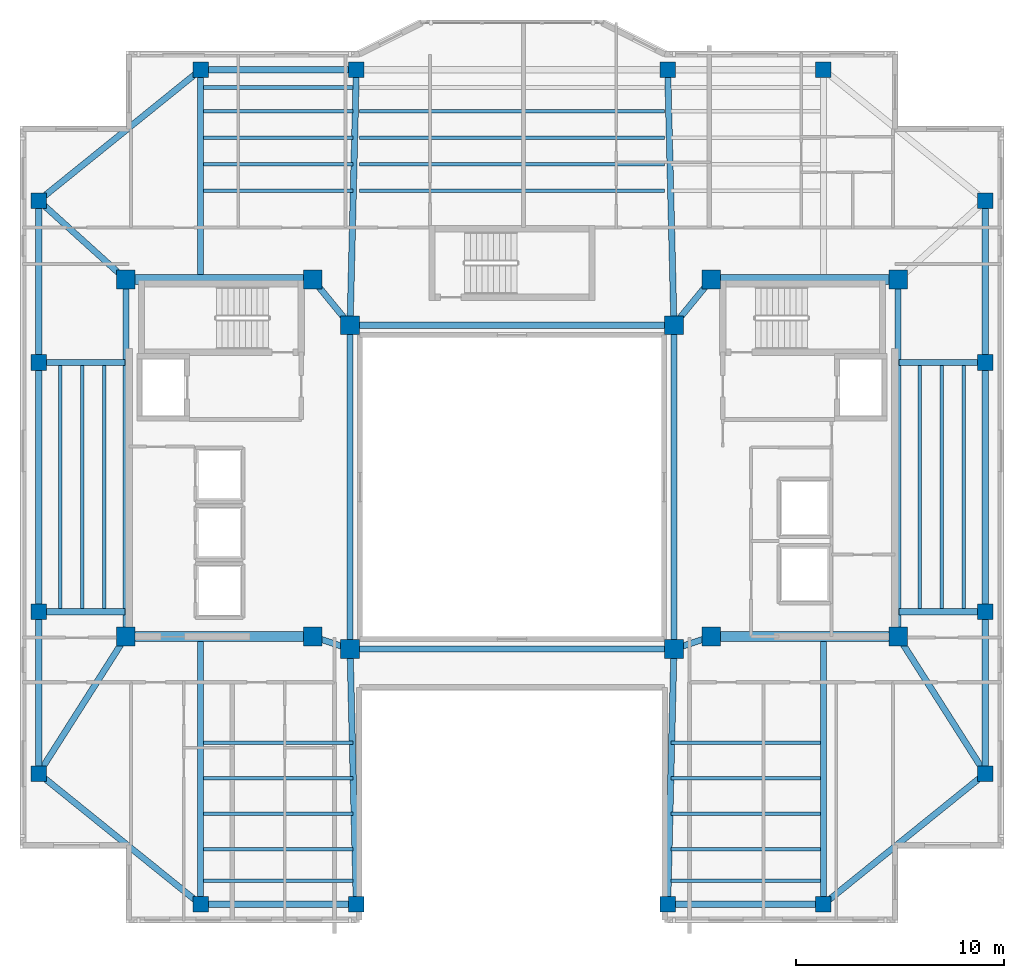
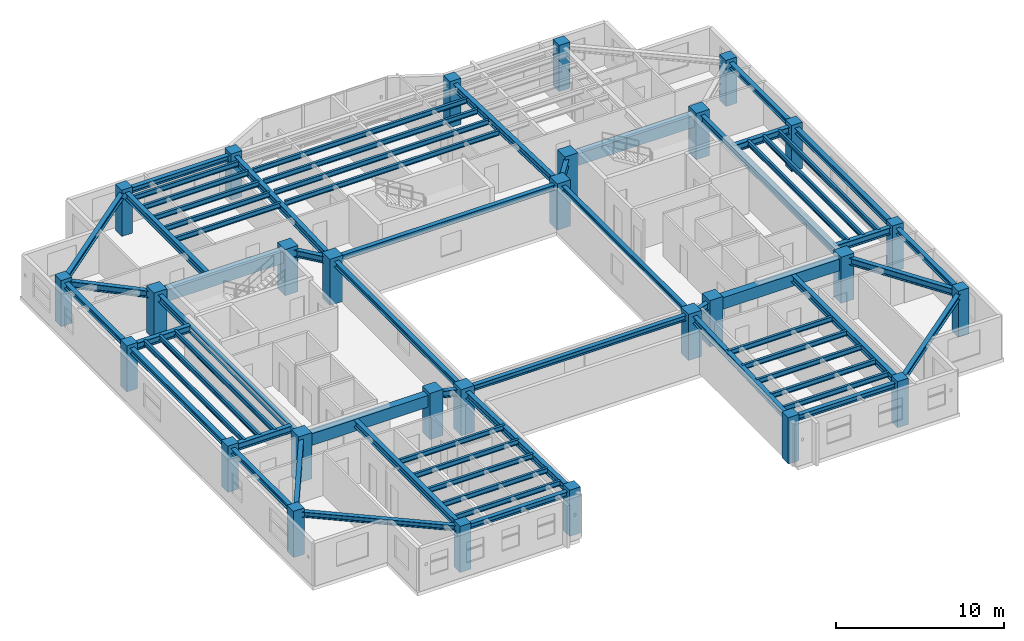
# One storey, part 1 of 11: 65 beams, 28 columns.
"""IFC4 building model written with IfcOpenShell, lengths in metres."""

from ifc_helpers import new_model, si_unit, direction, frame, origin, origin_2d, place, context, subcontext, project, spatial, rectangle, i_section, extrude, material, material_profile, profile_set, type_object, element, save


model = new_model("IFC4")

# Units and contexts
model_context = context("Model", 3, precision=1e-05, world=origin(), true_north=direction((0.0, 1.0)))
body_context = subcontext(model_context, "Body", "Model", "MODEL_VIEW")
ifc_project = project(units=[si_unit("LENGTHUNIT", "METRE"), si_unit("AREAUNIT", "SQUARE_METRE"), si_unit("VOLUMEUNIT", "CUBIC_METRE"), si_unit("PLANEANGLEUNIT", "RADIAN"), si_unit("MASSUNIT", "GRAM", prefix="KILO")], contexts=[model_context])

# Site, building, storey
site_placement = place(None, origin())
site = spatial("IfcSite", under=ifc_project, at=site_placement, CompositionType="ELEMENT")
building_placement = place(site_placement, origin())
building = spatial("IfcBuilding", under=site, at=building_placement, Name="Tarnavaz Court Tower", CompositionType="ELEMENT")
storey_placement = place(building_placement, frame((0.0, 0.0, 217.050048828125)))
storey = spatial("IfcBuildingStorey", under=building, at=storey_placement, Name="L59", CompositionType="ELEMENT", Elevation=217.050048828125)

# Columns
ifc_material_1 = material(Name="Concrete C50/60", Category="concrete")
ifc_material_profile_1 = material_profile(ifc_material_1, rectangle(XDim=0.75, YDim=0.75, at=origin_2d()), Name="RC 750X750")
ifc_profile_set_1 = profile_set([ifc_material_profile_1], Name="Concrete C50/60")
column_type_1 = type_object("IfcColumnType", Name="CL-RC750", PredefinedType="COLUMN", material=ifc_profile_set_1)
for number, where, z_axis, x_axis, name in (
    (1, (-15.0, 20.10009765625, 0.0), (0.0, 0.0, 1.0), (1.0, 0.0, 0.0), "L59 Column PN-1"),
    (2, (-7.5, 20.10009765625, 0.0), (0.0, 0.0, 1.0), (1.0, 0.0, 0.0), "L59 Column PN-2"),
    (3, (7.5, 20.10009765625, 0.0), (0.0, 0.0, 1.0), (1.0, 0.0, 0.0), "L59 Column PN-3"),
    (4, (15.0, 20.10009765625, 0.0), (0.0, 0.0, 1.0), (1.0, 0.0, 0.0), "L59 Column PN-4"),
    (5, (-15.0, -20.10009765625, 0.0), (0.0, 0.0, 1.0), (1.0, 0.0, 0.0), "L59 Column PS-1"),
    (6, (-7.5, -20.10009765625, 0.0), (0.0, 0.0, 1.0), (1.0, 0.0, 0.0), "L59 Column PS-2"),
    (7, (7.5, -20.10009765625, 0.0), (0.0, 0.0, 1.0), (1.0, 0.0, 0.0), "L59 Column PS-3"),
    (8, (15.0, -20.10009765625, 0.0), (0.0, 0.0, 1.0), (1.0, 0.0, 0.0), "L59 Column PS-4"),
    (9, (22.800048828125, -13.800048828125, 0.0), (0.0, 0.0, 1.0), (1.0, 0.0, 0.0), "L59 Column PE-1"),
    (10, (22.800048828125, -6.0, 0.0), (0.0, 0.0, 1.0), (1.0, 0.0, 0.0), "L59 Column PE-2"),
    (11, (22.800048828125, 6.0, 0.0), (0.0, 0.0, 1.0), (1.0, 0.0, 0.0), "L59 Column PE-3"),
    (12, (22.800048828125, 13.800048828125, 0.0), (0.0, 0.0, 1.0), (1.0, 0.0, 0.0), "L59 Column PE-4"),
    (13, (-22.800048828125, -13.800048828125, 0.0), (0.0, 0.0, 1.0), (1.0, 0.0, 0.0), "L59 Column PW-1"),
    (14, (-22.800048828125, -6.0, 0.0), (0.0, 0.0, 1.0), (1.0, 0.0, 0.0), "L59 Column PW-2"),
    (15, (-22.800048828125, 6.0, 0.0), (0.0, 0.0, 1.0), (1.0, 0.0, 0.0), "L59 Column PW-3"),
    (16, (-22.800048828125, 13.800048828125, 0.0), (0.0, 0.0, 1.0), (1.0, 0.0, 0.0), "L59 Column PW-4"),
):
    element("IfcColumn", number, at=place(storey_placement, frame(where, z_axis=z_axis, x_axis=x_axis)), inside=storey, type_object=column_type_1, Name=name, PredefinedType="COLUMN", context=body_context, shape_type="SweptSolid", body=[
        extrude(rectangle(XDim=0.75, YDim=0.75, at=origin_2d()), origin(), (0.0, 0.0, 1.0), 3.349853515625),
    ])
ifc_material_profile_2 = material_profile(ifc_material_1, rectangle(XDim=0.89990234375, YDim=0.89990234375, at=origin_2d()), Name="RC 900X900")
ifc_profile_set_2 = profile_set([ifc_material_profile_2], Name="Concrete C50/60")
column_type_2 = type_object("IfcColumnType", Name="CL-RC900", PredefinedType="COLUMN", material=ifc_profile_set_2)
for number, where, z_axis, x_axis, name in (
    (17, (-7.800048828125, -7.800048828125, 0.0), (0.0, 0.0, 1.0), (1.0, 0.0, 0.0), "L59 Column IW-SW"),
    (18, (7.800048828125, -7.800048828125, 0.0), (0.0, 0.0, 1.0), (1.0, 0.0, 0.0), "L59 Column IW-SE"),
    (19, (-7.800048828125, 7.800048828125, 0.0), (0.0, 0.0, 1.0), (1.0, 0.0, 0.0), "L59 Column IW-NW"),
    (20, (7.800048828125, 7.800048828125, 0.0), (0.0, 0.0, 1.0), (1.0, 0.0, 0.0), "L59 Column IW-NE"),
    (21, (-9.60009765625, -7.199951171875, 0.0), (0.0, 0.0, 1.0), (1.0, 0.0, 0.0), "L59 Column CW-SI"),
    (22, (-9.60009765625, 10.0, 0.0), (0.0, 0.0, 1.0), (1.0, 0.0, 0.0), "L59 Column CW-NI"),
    (23, (9.60009765625, -7.199951171875, 0.0), (0.0, 0.0, 1.0), (1.0, 0.0, 0.0), "L59 Column CE-SI"),
    (24, (9.60009765625, 10.0, 0.0), (0.0, 0.0, 1.0), (1.0, 0.0, 0.0), "L59 Column CE-NI"),
    (25, (-18.60009765625, -7.199951171875, 0.0), (0.0, 0.0, 1.0), (1.0, 0.0, 0.0), "L59 Column CW-SO"),
    (26, (-18.60009765625, 10.0, 0.0), (0.0, 0.0, 1.0), (1.0, 0.0, 0.0), "L59 Column CW-NO"),
    (27, (18.60009765625, -7.199951171875, 0.0), (0.0, 0.0, 1.0), (1.0, 0.0, 0.0), "L59 Column CE-SO"),
    (28, (18.60009765625, 10.0, 0.0), (0.0, 0.0, 1.0), (1.0, 0.0, 0.0), "L59 Column CE-NO"),
):
    element("IfcColumn", number, at=place(storey_placement, frame(where, z_axis=z_axis, x_axis=x_axis)), inside=storey, type_object=column_type_2, Name=name, PredefinedType="COLUMN", context=body_context, shape_type="SweptSolid", body=[
        extrude(rectangle(XDim=0.89990234375, YDim=0.89990234375, at=origin_2d()), origin(), (0.0, 0.0, 1.0), 3.349853515625),
    ])

# Beams
ifc_material_profile_3 = material_profile(ifc_material_1, rectangle(XDim=0.5, YDim=0.85009765625, at=origin_2d()), Name="RC 500X850")
ifc_profile_set_3 = profile_set([ifc_material_profile_3], Name="Concrete C50/60")
beam_type_1 = type_object("IfcBeamType", Name="BM-CB850", PredefinedType="LINTEL", material=ifc_profile_set_3)
for number, where, z_axis, x_axis, name in (
    (29, (-18.3798828125, -7.199951171875, 2.675048828125), (1.0, 0.0, 0.0), (0.0, 1.0, 0.0), "L59 Beam IN-CW-SO-CW-SI"),
    (30, (-18.3798828125, 10.0, 2.675048828125), (1.0, 0.0, 0.0), (0.0, 1.0, 0.0), "L59 Beam IN-CW-NO-CW-NI"),
    (31, (18.3798828125, -7.199951171875, 2.675048828125), (-1.0, 0.0, 0.0), (0.0, -1.0, 0.0), "L59 Beam IN-CE-SO-CE-SI"),
    (32, (18.3798828125, 10.0, 2.675048828125), (-1.0, 0.0, 0.0), (0.0, -1.0, 0.0), "L59 Beam IN-CE-NO-CE-NI"),
):
    element("IfcBeam", number, at=place(storey_placement, frame(where, z_axis=z_axis, x_axis=x_axis)), inside=storey, type_object=beam_type_1, Name=name, PredefinedType="LINTEL", context=body_context, shape_type="SweptSolid", body=[
        extrude(rectangle(XDim=0.5, YDim=0.85009765625, at=origin_2d()), origin(), (0.0, 0.0, 1.0), 8.559814453125),
    ])
ifc_material_2 = material(Name="Steel S355", Category="steel")
ifc_material_profile_4 = material_profile(ifc_material_2, i_section(OverallWidth=0.300048828125, OverallDepth=0.5, WebThickness=0.014404296875, FlangeThickness=0.028076171875, FilletRadius=0.027099609375, at=origin_2d()), Name="HEB 500")
ifc_profile_set_4 = profile_set([ifc_material_profile_4], Name="Steel S355")
beam_type_2 = type_object("IfcBeamType", Name="BM-G-HEB500", PredefinedType="USERDEFINED", material=ifc_profile_set_4)
for number, where, z_axis, x_axis, name in (
    (33, (-9.391357421875, -7.26953125, 2.849853515625), (0.948666544706, -0.316278021615, 0.0), (0.316278021615, 0.948666544706, 0.0), "L59 Beam IN-CW-SI-IW-SW"),
    (34, (9.391357421875, -7.26953125, 2.849853515625), (-0.948666544706, -0.316278021615, 0.0), (0.316278021615, -0.948666544706, 0.0), "L59 Beam IN-CE-SI-IW-SE"),
):
    element("IfcBeam", number, at=place(storey_placement, frame(where, z_axis=z_axis, x_axis=x_axis)), inside=storey, type_object=beam_type_2, Name=name, ObjectType="GIRDER", PredefinedType="USERDEFINED", context=body_context, shape_type="SweptSolid", body=[
        extrude(i_section(OverallWidth=0.300048828125, OverallDepth=0.5, WebThickness=0.014404296875, FlangeThickness=0.028076171875, FilletRadius=0.027099609375, at=origin_2d()), origin(), (0.0, 0.0, 1.0), 1.457275390625),
    ])
for number, where, z_axis, x_axis, name in (
    (35, (-9.460693359375, 9.82958984375, 2.849853515625), (0.633282058357, -0.773921077735, 0.0), (0.773921077735, 0.633282058357, 0.0), "L59 Beam IN-CW-NI-IW-NW"),
    (36, (9.460693359375, 9.82958984375, 2.849853515625), (-0.633282058357, -0.773921077735, 0.0), (0.773921077735, -0.633282058357, 0.0), "L59 Beam IN-CE-NI-IW-NE"),
):
    element("IfcBeam", number, at=place(storey_placement, frame(where, z_axis=z_axis, x_axis=x_axis)), inside=storey, type_object=beam_type_2, Name=name, ObjectType="GIRDER", PredefinedType="USERDEFINED", context=body_context, shape_type="SweptSolid", body=[
        extrude(i_section(OverallWidth=0.300048828125, OverallDepth=0.5, WebThickness=0.014404296875, FlangeThickness=0.028076171875, FilletRadius=0.027099609375, at=origin_2d()), origin(), (0.0, 0.0, 1.0), 2.402587890625),
    ])
for number, where, z_axis, x_axis, name in (
    (37, (-18.60009765625, -6.97998046875, 2.849853515625), (0.0, 1.0, 0.0), (-1.0, 0.0, 0.0), "L59 Beam IN-CW-SO-CW-NO"),
    (38, (18.60009765625, -6.97998046875, 2.849853515625), (0.0, 1.0, 0.0), (-1.0, 0.0, 0.0), "L59 Beam IN-CE-SO-CE-NO"),
):
    element("IfcBeam", number, at=place(storey_placement, frame(where, z_axis=z_axis, x_axis=x_axis)), inside=storey, type_object=beam_type_2, Name=name, ObjectType="GIRDER", PredefinedType="USERDEFINED", context=body_context, shape_type="SweptSolid", body=[
        extrude(i_section(OverallWidth=0.300048828125, OverallDepth=0.5, WebThickness=0.014404296875, FlangeThickness=0.028076171875, FilletRadius=0.027099609375, at=origin_2d()), origin(), (0.0, 0.0, 1.0), 16.760009765625),
    ])
beam_1_placement = place(storey_placement, frame((-15.0, 10.0400390625, 2.849853515625), z_axis=(0.0, 1.0, 0.0), x_axis=(-1.0, 0.0, 0.0)))
element("IfcBeam", 39, at=beam_1_placement, inside=storey, type_object=beam_type_2, Name="L59 Beam RG-01", ObjectType="GIRDER", PredefinedType="USERDEFINED", context=body_context, shape_type="SweptSolid", body=[
    extrude(i_section(OverallWidth=0.300048828125, OverallDepth=0.5, WebThickness=0.014404296875, FlangeThickness=0.028076171875, FilletRadius=0.027099609375, at=origin_2d()), origin(), (0.0, 0.0, 1.0), 9.83984375),
])
for number, where, z_axis, x_axis, name in (
    (40, (-7.794677734375, 8.02001953125, 2.849853515625), (0.024386002211, 0.99970261723, 0.0), (-0.99970261723, 0.024386002211, 0.0), "L59 Beam RG-02"),
    (41, (7.794677734375, 8.02001953125, 2.849853515625), (-0.024386002211, 0.99970261723, 0.0), (-0.99970261723, -0.024386002211, 0.0), "L59 Beam RG-03"),
):
    element("IfcBeam", number, at=place(storey_placement, frame(where, z_axis=z_axis, x_axis=x_axis)), inside=storey, type_object=beam_type_2, Name=name, ObjectType="GIRDER", PredefinedType="USERDEFINED", context=body_context, shape_type="SweptSolid", body=[
        extrude(i_section(OverallWidth=0.300048828125, OverallDepth=0.5, WebThickness=0.014404296875, FlangeThickness=0.028076171875, FilletRadius=0.027099609375, at=origin_2d()), origin(), (0.0, 0.0, 1.0), 11.863525390625),
    ])
beam_2_placement = place(storey_placement, frame((-15.0, -7.239990234375, 2.849853515625), z_axis=(0.0, -1.0, 0.0), x_axis=(1.0, 0.0, 0.0)))
element("IfcBeam", 42, at=beam_2_placement, inside=storey, type_object=beam_type_2, Name="L59 Beam RG-05", ObjectType="GIRDER", PredefinedType="USERDEFINED", context=body_context, shape_type="SweptSolid", body=[
    extrude(i_section(OverallWidth=0.300048828125, OverallDepth=0.5, WebThickness=0.014404296875, FlangeThickness=0.028076171875, FilletRadius=0.027099609375, at=origin_2d()), origin(), (0.0, 0.0, 1.0), 12.639892578125),
])
for number, where, z_axis, x_axis, name in (
    (43, (-7.794677734375, -8.02001953125, 2.849853515625), (0.024386002211, -0.99970261723, 0.0), (0.99970261723, 0.024386002211, 0.0), "L59 Beam RG-06"),
    (44, (7.794677734375, -8.02001953125, 2.849853515625), (-0.024386002211, -0.99970261723, 0.0), (0.99970261723, -0.024386002211, 0.0), "L59 Beam RG-07"),
):
    element("IfcBeam", number, at=place(storey_placement, frame(where, z_axis=z_axis, x_axis=x_axis)), inside=storey, type_object=beam_type_2, Name=name, ObjectType="GIRDER", PredefinedType="USERDEFINED", context=body_context, shape_type="SweptSolid", body=[
        extrude(i_section(OverallWidth=0.300048828125, OverallDepth=0.5, WebThickness=0.014404296875, FlangeThickness=0.028076171875, FilletRadius=0.027099609375, at=origin_2d()), origin(), (0.0, 0.0, 1.0), 11.863525390625),
    ])
beam_3_placement = place(storey_placement, frame((15.0, -7.239990234375, 2.849853515625), z_axis=(0.0, -1.0, 0.0), x_axis=(1.0, 0.0, 0.0)))
element("IfcBeam", 45, at=beam_3_placement, inside=storey, type_object=beam_type_2, Name="L59 Beam RG-08", ObjectType="GIRDER", PredefinedType="USERDEFINED", context=body_context, shape_type="SweptSolid", body=[
    extrude(i_section(OverallWidth=0.300048828125, OverallDepth=0.5, WebThickness=0.014404296875, FlangeThickness=0.028076171875, FilletRadius=0.027099609375, at=origin_2d()), origin(), (0.0, 0.0, 1.0), 12.639892578125),
])
for number, where, z_axis, x_axis, name in (
    (46, (18.639892578125, -6.0, 2.849853515625), (1.0, 0.0, 0.0), (0.0, 1.0, 0.0), "L59 Beam RG-09"),
    (47, (18.639892578125, 6.0, 2.849853515625), (1.0, 0.0, 0.0), (0.0, 1.0, 0.0), "L59 Beam RG-10"),
):
    element("IfcBeam", number, at=place(storey_placement, frame(where, z_axis=z_axis, x_axis=x_axis)), inside=storey, type_object=beam_type_2, Name=name, ObjectType="GIRDER", PredefinedType="USERDEFINED", context=body_context, shape_type="SweptSolid", body=[
        extrude(i_section(OverallWidth=0.300048828125, OverallDepth=0.5, WebThickness=0.014404296875, FlangeThickness=0.028076171875, FilletRadius=0.027099609375, at=origin_2d()), origin(), (0.0, 0.0, 1.0), 3.940185546875),
    ])
beam_4_placement = place(storey_placement, frame((18.718017578125, -7.385498046875, 2.849853515625), z_axis=(0.536871212964, -0.843664210863, 0.0), x_axis=(0.843664210863, 0.536871212964, 0.0)))
element("IfcBeam", 48, at=beam_4_placement, inside=storey, type_object=beam_type_2, Name="L59 Beam RG-11", ObjectType="GIRDER", PredefinedType="USERDEFINED", context=body_context, shape_type="SweptSolid", body=[
    extrude(i_section(OverallWidth=0.300048828125, OverallDepth=0.5, WebThickness=0.014404296875, FlangeThickness=0.028076171875, FilletRadius=0.027099609375, at=origin_2d()), origin(), (0.0, 0.0, 1.0), 7.38330078125),
])
for number, where, z_axis, x_axis, name in (
    (49, (-18.639892578125, -6.0, 2.849853515625), (-1.0, 0.0, 0.0), (0.0, -1.0, 0.0), "L59 Beam RG-13"),
    (50, (-18.639892578125, 6.0, 2.849853515625), (-1.0, 0.0, 0.0), (0.0, -1.0, 0.0), "L59 Beam RG-14"),
):
    element("IfcBeam", number, at=place(storey_placement, frame(where, z_axis=z_axis, x_axis=x_axis)), inside=storey, type_object=beam_type_2, Name=name, ObjectType="GIRDER", PredefinedType="USERDEFINED", context=body_context, shape_type="SweptSolid", body=[
        extrude(i_section(OverallWidth=0.300048828125, OverallDepth=0.5, WebThickness=0.014404296875, FlangeThickness=0.028076171875, FilletRadius=0.027099609375, at=origin_2d()), origin(), (0.0, 0.0, 1.0), 3.940185546875),
    ])
beam_5_placement = place(storey_placement, frame((-18.718017578125, -7.385498046875, 2.849853515625), z_axis=(-0.536871212964, -0.843664210863, 0.0), x_axis=(0.843664210863, -0.536871212964, 0.0)))
element("IfcBeam", 51, at=beam_5_placement, inside=storey, type_object=beam_type_2, Name="L59 Beam RG-15", ObjectType="GIRDER", PredefinedType="USERDEFINED", context=body_context, shape_type="SweptSolid", body=[
    extrude(i_section(OverallWidth=0.300048828125, OverallDepth=0.5, WebThickness=0.014404296875, FlangeThickness=0.028076171875, FilletRadius=0.027099609375, at=origin_2d()), origin(), (0.0, 0.0, 1.0), 7.38330078125),
])
beam_6_placement = place(storey_placement, frame((-18.76318359375, 10.147705078125, 2.849853515625), z_axis=(-0.741555708494, 0.670891296113, 0.0), x_axis=(-0.670891296113, -0.741555708494, 0.0)))
element("IfcBeam", 52, at=beam_6_placement, inside=storey, type_object=beam_type_2, Name="L59 Beam RG-16", ObjectType="GIRDER", PredefinedType="USERDEFINED", context=body_context, shape_type="SweptSolid", body=[
    extrude(i_section(OverallWidth=0.300048828125, OverallDepth=0.5, WebThickness=0.014404296875, FlangeThickness=0.028076171875, FilletRadius=0.027099609375, at=origin_2d()), origin(), (0.0, 0.0, 1.0), 5.223876953125),
])
ifc_material_profile_5 = material_profile(ifc_material_2, i_section(OverallWidth=0.169921875, OverallDepth=0.360107421875, WebThickness=0.008056640625, FlangeThickness=0.0126953125, FilletRadius=0.01806640625, at=origin_2d()), Name="IPE 360")
ifc_profile_set_5 = profile_set([ifc_material_profile_5], Name="Steel S355")
beam_type_3 = type_object("IfcBeamType", Name="BM-J-IPE360", PredefinedType="JOIST", material=ifc_profile_set_5)
beam_7_placement = place(storey_placement, frame((-14.85009765625, 14.278076171875, 2.919921875), z_axis=(1.0, 0.0, 0.0), x_axis=(0.0, 1.0, 0.0)))
element("IfcBeam", 53, at=beam_7_placement, inside=storey, type_object=beam_type_3, Name="L59 Beam JN1-1", PredefinedType="JOIST", context=body_context, shape_type="SweptSolid", body=[
    extrude(i_section(OverallWidth=0.169921875, OverallDepth=0.360107421875, WebThickness=0.008056640625, FlangeThickness=0.0126953125, FilletRadius=0.01806640625, at=origin_2d()), origin(), (0.0, 0.0, 1.0), 7.2001953125),
])
beam_8_placement = place(storey_placement, frame((-7.35009765625, 14.278076171875, 2.919921875), z_axis=(1.0, 0.0, 0.0), x_axis=(0.0, 1.0, 0.0)))
element("IfcBeam", 54, at=beam_8_placement, inside=storey, type_object=beam_type_3, Name="L59 Beam JN1-2", PredefinedType="JOIST", context=body_context, shape_type="SweptSolid", body=[
    extrude(i_section(OverallWidth=0.169921875, OverallDepth=0.360107421875, WebThickness=0.008056640625, FlangeThickness=0.0126953125, FilletRadius=0.01806640625, at=origin_2d()), origin(), (0.0, 0.0, 1.0), 14.7001953125),
])
for number, where, z_axis, x_axis, name in (
    (55, (-14.85009765625, -12.31005859375, 2.919921875), (1.0, 0.0, 0.0), (0.0, 1.0, 0.0), "L59 Beam JS1-1"),
    (56, (7.64990234375, -12.31005859375, 2.919921875), (1.0, 0.0, 0.0), (0.0, 1.0, 0.0), "L59 Beam JS1-2"),
    (57, (-14.85009765625, 15.555908203125, 2.919921875), (1.0, 0.0, 0.0), (0.0, 1.0, 0.0), "L59 Beam JN2-1"),
):
    element("IfcBeam", number, at=place(storey_placement, frame(where, z_axis=z_axis, x_axis=x_axis)), inside=storey, type_object=beam_type_3, Name=name, PredefinedType="JOIST", context=body_context, shape_type="SweptSolid", body=[
        extrude(i_section(OverallWidth=0.169921875, OverallDepth=0.360107421875, WebThickness=0.008056640625, FlangeThickness=0.0126953125, FilletRadius=0.01806640625, at=origin_2d()), origin(), (0.0, 0.0, 1.0), 7.2001953125),
    ])
beam_9_placement = place(storey_placement, frame((-7.35009765625, 15.555908203125, 2.919921875), z_axis=(1.0, 0.0, 0.0), x_axis=(0.0, 1.0, 0.0)))
element("IfcBeam", 58, at=beam_9_placement, inside=storey, type_object=beam_type_3, Name="L59 Beam JN2-2", PredefinedType="JOIST", context=body_context, shape_type="SweptSolid", body=[
    extrude(i_section(OverallWidth=0.169921875, OverallDepth=0.360107421875, WebThickness=0.008056640625, FlangeThickness=0.0126953125, FilletRadius=0.01806640625, at=origin_2d()), origin(), (0.0, 0.0, 1.0), 14.7001953125),
])
for number, where, z_axis, x_axis, name in (
    (59, (-14.85009765625, -14.02001953125, 2.919921875), (1.0, 0.0, 0.0), (0.0, 1.0, 0.0), "L59 Beam JS2-1"),
    (60, (7.64990234375, -14.02001953125, 2.919921875), (1.0, 0.0, 0.0), (0.0, 1.0, 0.0), "L59 Beam JS2-2"),
    (61, (-14.85009765625, 16.833984375, 2.919921875), (1.0, 0.0, 0.0), (0.0, 1.0, 0.0), "L59 Beam JN3-1"),
):
    element("IfcBeam", number, at=place(storey_placement, frame(where, z_axis=z_axis, x_axis=x_axis)), inside=storey, type_object=beam_type_3, Name=name, PredefinedType="JOIST", context=body_context, shape_type="SweptSolid", body=[
        extrude(i_section(OverallWidth=0.169921875, OverallDepth=0.360107421875, WebThickness=0.008056640625, FlangeThickness=0.0126953125, FilletRadius=0.01806640625, at=origin_2d()), origin(), (0.0, 0.0, 1.0), 7.2001953125),
    ])
beam_10_placement = place(storey_placement, frame((-7.35009765625, 16.833984375, 2.919921875), z_axis=(1.0, 0.0, 0.0), x_axis=(0.0, 1.0, 0.0)))
element("IfcBeam", 62, at=beam_10_placement, inside=storey, type_object=beam_type_3, Name="L59 Beam JN3-2", PredefinedType="JOIST", context=body_context, shape_type="SweptSolid", body=[
    extrude(i_section(OverallWidth=0.169921875, OverallDepth=0.360107421875, WebThickness=0.008056640625, FlangeThickness=0.0126953125, FilletRadius=0.01806640625, at=origin_2d()), origin(), (0.0, 0.0, 1.0), 14.7001953125),
])
for number, where, z_axis, x_axis, name in (
    (63, (-14.85009765625, -15.72998046875, 2.919921875), (1.0, 0.0, 0.0), (0.0, 1.0, 0.0), "L59 Beam JS3-1"),
    (64, (7.64990234375, -15.72998046875, 2.919921875), (1.0, 0.0, 0.0), (0.0, 1.0, 0.0), "L59 Beam JS3-2"),
    (65, (-14.85009765625, 18.112060546875, 2.919921875), (1.0, 0.0, 0.0), (0.0, 1.0, 0.0), "L59 Beam JN4-1"),
):
    element("IfcBeam", number, at=place(storey_placement, frame(where, z_axis=z_axis, x_axis=x_axis)), inside=storey, type_object=beam_type_3, Name=name, PredefinedType="JOIST", context=body_context, shape_type="SweptSolid", body=[
        extrude(i_section(OverallWidth=0.169921875, OverallDepth=0.360107421875, WebThickness=0.008056640625, FlangeThickness=0.0126953125, FilletRadius=0.01806640625, at=origin_2d()), origin(), (0.0, 0.0, 1.0), 7.2001953125),
    ])
beam_11_placement = place(storey_placement, frame((-7.35009765625, 18.112060546875, 2.919921875), z_axis=(1.0, 0.0, 0.0), x_axis=(0.0, 1.0, 0.0)))
element("IfcBeam", 66, at=beam_11_placement, inside=storey, type_object=beam_type_3, Name="L59 Beam JN4-2", PredefinedType="JOIST", context=body_context, shape_type="SweptSolid", body=[
    extrude(i_section(OverallWidth=0.169921875, OverallDepth=0.360107421875, WebThickness=0.008056640625, FlangeThickness=0.0126953125, FilletRadius=0.01806640625, at=origin_2d()), origin(), (0.0, 0.0, 1.0), 14.7001953125),
])
for number, where, z_axis, x_axis, name in (
    (67, (-14.85009765625, -17.43994140625, 2.919921875), (1.0, 0.0, 0.0), (0.0, 1.0, 0.0), "L59 Beam JS4-1"),
    (68, (7.64990234375, -17.43994140625, 2.919921875), (1.0, 0.0, 0.0), (0.0, 1.0, 0.0), "L59 Beam JS4-2"),
    (69, (-14.85009765625, 19.248046875, 2.919921875), (1.0, 0.0, 0.0), (0.0, 1.0, 0.0), "L59 Beam JN5-1"),
    (70, (-14.85009765625, -18.9599609375, 2.919921875), (1.0, 0.0, 0.0), (0.0, 1.0, 0.0), "L59 Beam JS5-1"),
    (71, (7.64990234375, -18.9599609375, 2.919921875), (1.0, 0.0, 0.0), (0.0, 1.0, 0.0), "L59 Beam JS5-2"),
):
    element("IfcBeam", number, at=place(storey_placement, frame(where, z_axis=z_axis, x_axis=x_axis)), inside=storey, type_object=beam_type_3, Name=name, PredefinedType="JOIST", context=body_context, shape_type="SweptSolid", body=[
        extrude(i_section(OverallWidth=0.169921875, OverallDepth=0.360107421875, WebThickness=0.008056640625, FlangeThickness=0.0126953125, FilletRadius=0.01806640625, at=origin_2d()), origin(), (0.0, 0.0, 1.0), 7.2001953125),
    ])
for number, where, z_axis, x_axis, name in (
    (72, (19.64990234375, -5.9599609375, 2.919921875), (0.0, 1.0, 0.0), (-1.0, 0.0, 0.0), "L59 Beam JE1"),
    (73, (-19.64990234375, -5.9599609375, 2.919921875), (0.0, 1.0, 0.0), (-1.0, 0.0, 0.0), "L59 Beam JW1"),
    (74, (20.699951171875, -5.9599609375, 2.919921875), (0.0, 1.0, 0.0), (-1.0, 0.0, 0.0), "L59 Beam JE2"),
    (75, (-20.699951171875, -5.9599609375, 2.919921875), (0.0, 1.0, 0.0), (-1.0, 0.0, 0.0), "L59 Beam JW2"),
    (76, (21.75, -5.9599609375, 2.919921875), (0.0, 1.0, 0.0), (-1.0, 0.0, 0.0), "L59 Beam JE3"),
    (77, (-21.75, -5.9599609375, 2.919921875), (0.0, 1.0, 0.0), (-1.0, 0.0, 0.0), "L59 Beam JW3"),
):
    element("IfcBeam", number, at=place(storey_placement, frame(where, z_axis=z_axis, x_axis=x_axis)), inside=storey, type_object=beam_type_3, Name=name, PredefinedType="JOIST", context=body_context, shape_type="SweptSolid", body=[
        extrude(i_section(OverallWidth=0.169921875, OverallDepth=0.360107421875, WebThickness=0.008056640625, FlangeThickness=0.0126953125, FilletRadius=0.01806640625, at=origin_2d()), origin(), (0.0, 0.0, 1.0), 11.919921875),
    ])
ifc_material_profile_6 = material_profile(ifc_material_2, i_section(OverallWidth=0.300048828125, OverallDepth=0.389892578125, WebThickness=0.010986328125, FlangeThickness=0.01904296875, FilletRadius=0.027099609375, at=origin_2d()), Name="HEA 400")
ifc_profile_set_6 = profile_set([ifc_material_profile_6], Name="Steel S355")
beam_type_4 = type_object("IfcBeamType", Name="BM-SP-HEA400", PredefinedType="BEAM", material=ifc_profile_set_6)
for number, where, z_axis, x_axis, name in (
    (78, (-7.580078125, -7.800048828125, 2.905029296875), (1.0, 0.0, 0.0), (0.0, 1.0, 0.0), "L59 Beam IN-IW-SW-IW-SE"),
    (79, (-7.580078125, 7.800048828125, 2.905029296875), (1.0, 0.0, 0.0), (0.0, 1.0, 0.0), "L59 Beam IN-IW-NW-IW-NE"),
    (80, (-7.800048828125, -7.580078125, 2.905029296875), (0.0, 1.0, 0.0), (-1.0, 0.0, 0.0), "L59 Beam IN-IW-SW-IW-NW"),
    (81, (7.800048828125, -7.580078125, 2.905029296875), (0.0, 1.0, 0.0), (-1.0, 0.0, 0.0), "L59 Beam IN-IW-SE-IW-NE"),
):
    element("IfcBeam", number, at=place(storey_placement, frame(where, z_axis=z_axis, x_axis=x_axis)), inside=storey, type_object=beam_type_4, Name=name, PredefinedType="BEAM", context=body_context, shape_type="SweptSolid", body=[
        extrude(i_section(OverallWidth=0.300048828125, OverallDepth=0.389892578125, WebThickness=0.010986328125, FlangeThickness=0.01904296875, FilletRadius=0.027099609375, at=origin_2d()), origin(), (0.0, 0.0, 1.0), 15.16015625),
    ])
for number, where, z_axis, x_axis, name in (
    (82, (-14.780029296875, 20.10009765625, 2.905029296875), (1.0, 0.0, 0.0), (0.0, 1.0, 0.0), "L59 Beam PR-PN-1-PN-2"),
    (83, (-14.780029296875, -20.10009765625, 2.905029296875), (1.0, 0.0, 0.0), (0.0, 1.0, 0.0), "L59 Beam PR-PS-1-PS-2"),
    (84, (7.719970703125, -20.10009765625, 2.905029296875), (1.0, 0.0, 0.0), (0.0, 1.0, 0.0), "L59 Beam PR-PS-3-PS-4"),
):
    element("IfcBeam", number, at=place(storey_placement, frame(where, z_axis=z_axis, x_axis=x_axis)), inside=storey, type_object=beam_type_4, Name=name, PredefinedType="BEAM", context=body_context, shape_type="SweptSolid", body=[
        extrude(i_section(OverallWidth=0.300048828125, OverallDepth=0.389892578125, WebThickness=0.010986328125, FlangeThickness=0.01904296875, FilletRadius=0.027099609375, at=origin_2d()), origin(), (0.0, 0.0, 1.0), 7.06005859375),
    ])
beam_12_placement = place(storey_placement, frame((22.800048828125, -13.580078125, 2.905029296875), z_axis=(0.0, 1.0, 0.0), x_axis=(-1.0, 0.0, 0.0)))
element("IfcBeam", 85, at=beam_12_placement, inside=storey, type_object=beam_type_4, Name="L59 Beam PR-PE-1-PE-2", PredefinedType="BEAM", context=body_context, shape_type="SweptSolid", body=[
    extrude(i_section(OverallWidth=0.300048828125, OverallDepth=0.389892578125, WebThickness=0.010986328125, FlangeThickness=0.01904296875, FilletRadius=0.027099609375, at=origin_2d()), origin(), (0.0, 0.0, 1.0), 7.360107421875),
])
beam_13_placement = place(storey_placement, frame((22.800048828125, -5.780029296875, 2.905029296875), z_axis=(0.0, 1.0, 0.0), x_axis=(-1.0, 0.0, 0.0)))
element("IfcBeam", 86, at=beam_13_placement, inside=storey, type_object=beam_type_4, Name="L59 Beam PR-PE-2-PE-3", PredefinedType="BEAM", context=body_context, shape_type="SweptSolid", body=[
    extrude(i_section(OverallWidth=0.300048828125, OverallDepth=0.389892578125, WebThickness=0.010986328125, FlangeThickness=0.01904296875, FilletRadius=0.027099609375, at=origin_2d()), origin(), (0.0, 0.0, 1.0), 11.56005859375),
])
for number, where, z_axis, x_axis, name in (
    (87, (22.800048828125, 6.219970703125, 2.905029296875), (0.0, 1.0, 0.0), (-1.0, 0.0, 0.0), "L59 Beam PR-PE-3-PE-4"),
    (88, (-22.800048828125, -13.580078125, 2.905029296875), (0.0, 1.0, 0.0), (-1.0, 0.0, 0.0), "L59 Beam PR-PW-1-PW-2"),
):
    element("IfcBeam", number, at=place(storey_placement, frame(where, z_axis=z_axis, x_axis=x_axis)), inside=storey, type_object=beam_type_4, Name=name, PredefinedType="BEAM", context=body_context, shape_type="SweptSolid", body=[
        extrude(i_section(OverallWidth=0.300048828125, OverallDepth=0.389892578125, WebThickness=0.010986328125, FlangeThickness=0.01904296875, FilletRadius=0.027099609375, at=origin_2d()), origin(), (0.0, 0.0, 1.0), 7.360107421875),
    ])
beam_14_placement = place(storey_placement, frame((-22.800048828125, -5.780029296875, 2.905029296875), z_axis=(0.0, 1.0, 0.0), x_axis=(-1.0, 0.0, 0.0)))
element("IfcBeam", 89, at=beam_14_placement, inside=storey, type_object=beam_type_4, Name="L59 Beam PR-PW-2-PW-3", PredefinedType="BEAM", context=body_context, shape_type="SweptSolid", body=[
    extrude(i_section(OverallWidth=0.300048828125, OverallDepth=0.389892578125, WebThickness=0.010986328125, FlangeThickness=0.01904296875, FilletRadius=0.027099609375, at=origin_2d()), origin(), (0.0, 0.0, 1.0), 11.56005859375),
])
beam_15_placement = place(storey_placement, frame((-22.800048828125, 6.219970703125, 2.905029296875), z_axis=(0.0, 1.0, 0.0), x_axis=(-1.0, 0.0, 0.0)))
element("IfcBeam", 90, at=beam_15_placement, inside=storey, type_object=beam_type_4, Name="L59 Beam PR-PW-3-PW-4", PredefinedType="BEAM", context=body_context, shape_type="SweptSolid", body=[
    extrude(i_section(OverallWidth=0.300048828125, OverallDepth=0.389892578125, WebThickness=0.010986328125, FlangeThickness=0.01904296875, FilletRadius=0.027099609375, at=origin_2d()), origin(), (0.0, 0.0, 1.0), 7.360107421875),
])
for number, where, z_axis, x_axis, name in (
    (91, (22.62890625, -13.938232421875, 2.905029296875), (-0.777935913531, -0.628343627674, 0.0), (0.628343627674, -0.777935913531, 0.0), "L59 Beam PR-PE-1-PS-4"),
    (92, (-15.171142578125, -19.9619140625, 2.905029296875), (-0.777935913531, 0.628343627674, 0.0), (-0.628343627674, -0.777935913531, 0.0), "L59 Beam PR-PS-1-PW-1"),
    (93, (-22.62890625, 13.938232421875, 2.905029296875), (0.777935913531, 0.628343627674, 0.0), (-0.628343627674, 0.777935913531, 0.0), "L59 Beam PR-PW-4-PN-1"),
):
    element("IfcBeam", number, at=place(storey_placement, frame(where, z_axis=z_axis, x_axis=x_axis)), inside=storey, type_object=beam_type_4, Name=name, PredefinedType="BEAM", context=body_context, shape_type="SweptSolid", body=[
        extrude(i_section(OverallWidth=0.300048828125, OverallDepth=0.389892578125, WebThickness=0.010986328125, FlangeThickness=0.01904296875, FilletRadius=0.027099609375, at=origin_2d()), origin(), (0.0, 0.0, 1.0), 9.586669921875),
    ])

save(model, "model.ifc")
